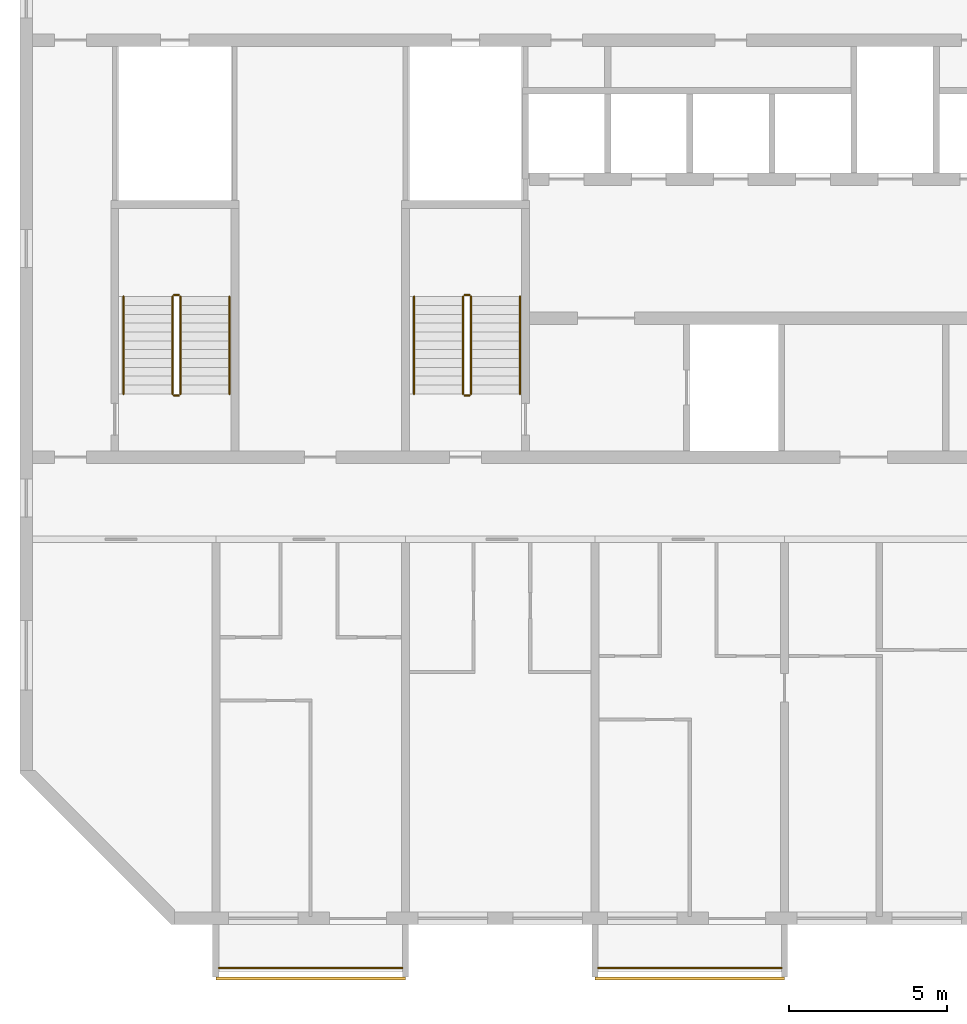
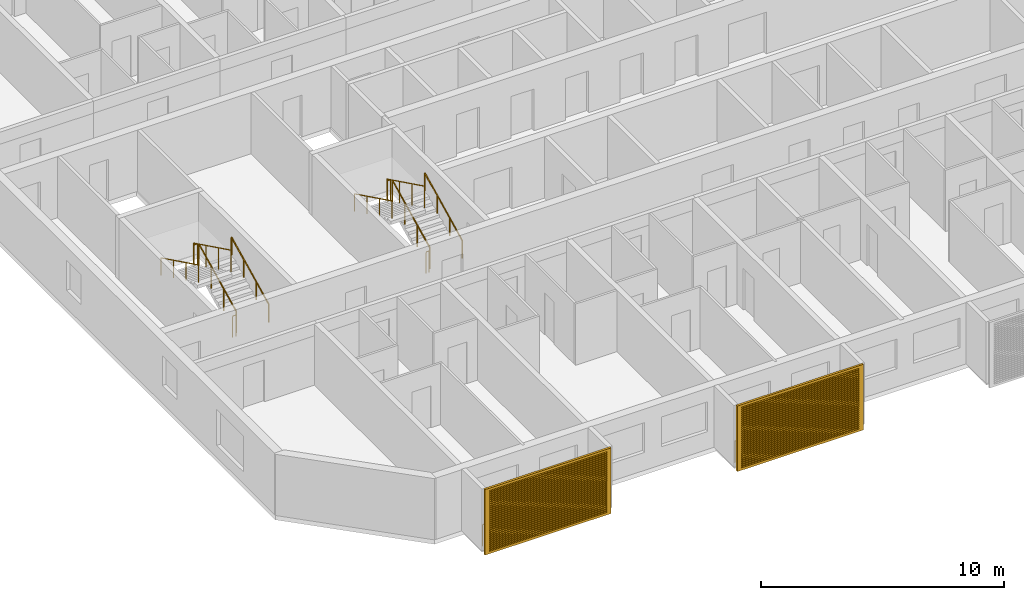
# One storey, part 13 of 27: 14 railings, 2 shading devices.
"""IFC4 building model written with IfcOpenShell, lengths in metres."""

from ifc_helpers import new_model, si_unit, direction, frame, origin, origin_2d, place, context, subcontext, project, spatial, polyline, circle, outline, extrude, source, transform, mapped, material, material_profile, profile_set, type_object, element, save


model = new_model("IFC4")

# Units and contexts
model_context = context("Model", 3, precision=1e-05, world=origin(), true_north=direction((0.0, 1.0)))
body_context = subcontext(model_context, "Body", "Model", "MODEL_VIEW")
ifc_project = project(units=[si_unit("LENGTHUNIT", "METRE"), si_unit("AREAUNIT", "SQUARE_METRE"), si_unit("VOLUMEUNIT", "CUBIC_METRE"), si_unit("PLANEANGLEUNIT", "RADIAN"), si_unit("MASSUNIT", "GRAM", prefix="KILO")], contexts=[model_context])

# Site, building, storey
site_placement = place(None, origin())
site = spatial("IfcSite", under=ifc_project, at=site_placement, CompositionType="ELEMENT")
building_placement = place(site_placement, origin())
building = spatial("IfcBuilding", under=site, at=building_placement, Name="Poui Terraces", CompositionType="ELEMENT")
storey_placement = place(building_placement, frame((0.0, 0.0, 191.699951171875)))
storey = spatial("IfcBuildingStorey", under=building, at=storey_placement, Name="L53", CompositionType="ELEMENT", Elevation=191.699951171875)

# Railings
ifc_material_1 = material(Name="Painted steel fretwork", Category="steel")
railing_type_1 = type_object("IfcRailingType", Name="BALCONY GUARD 1100", PredefinedType="GUARDRAIL", material=ifc_material_1)
for number, where, name in (
    (1, (24.10009765625, -1.570068359375, 0.0), "BALCONY GUARD"),
    (2, (36.10009765625, -1.570068359375, 0.0), "BALCONY GUARD"),
):
    element("IfcRailing", number, at=place(storey_placement, frame(where)), inside=storey, type_object=railing_type_1, Name=name, PredefinedType="GUARDRAIL", context=body_context, shape_type="SweptSolid", body=[
        extrude(circle(Radius=0.02392578125, at=origin_2d()), frame((0.0, 0.0, 1.076171875), z_axis=(1.0, 0.0, 0.0), x_axis=(0.0, 1.0, 0.0)), (0.0, 0.0, 1.0), 5.7998046875),
        extrude(circle(Radius=0.02099609375, at=origin_2d()), origin(), (0.0, 0.0, 1.0), 1.052001953125),
        extrude(circle(Radius=0.02099609375, at=origin_2d()), frame((0.966552734375, 0.0, 0.0)), (0.0, 0.0, 1.0), 1.052001953125),
        extrude(circle(Radius=0.02099609375, at=origin_2d()), frame((1.933349609375, 0.0, 0.0)), (0.0, 0.0, 1.0), 1.052001953125),
        extrude(circle(Radius=0.02099609375, at=origin_2d()), frame((2.89990234375, 0.0, 0.0)), (0.0, 0.0, 1.0), 1.052001953125),
        extrude(circle(Radius=0.02099609375, at=origin_2d()), frame((3.866455078125, 0.0, 0.0)), (0.0, 0.0, 1.0), 1.052001953125),
        extrude(circle(Radius=0.02099609375, at=origin_2d()), frame((4.833251953125, 0.0, 0.0)), (0.0, 0.0, 1.0), 1.052001953125),
        extrude(circle(Radius=0.02099609375, at=origin_2d()), frame((5.7998046875, 0.0, 0.0)), (0.0, 0.0, 1.0), 1.052001953125),
    ])
ifc_material_2 = material(Name="Galvanised steel balustrade", Category="steel")
railing_type_2 = type_object("IfcRailingType", Name="STAIR GUARD 1100", PredefinedType="GUARDRAIL", material=ifc_material_2)
railing_1_placement = place(storey_placement, frame((32.074951171875, 16.60009765625, 0.137451171875)))
element("IfcRailing", 3, at=railing_1_placement, inside=storey, type_object=railing_type_2, Name="L53 ST-CW stair guard 1", PredefinedType="GUARDRAIL", context=body_context, shape_type="SweptSolid", body=[
    extrude(circle(Radius=0.02392578125, at=origin_2d()), frame((0.0, 0.0, 1.076171875), z_axis=(0.0, 0.897578036475, 0.440855609512), x_axis=(-1.0, 0.0, 0.0)), (0.0, 0.0, 1.0), 3.43115234375),
    extrude(circle(Radius=0.02099609375, at=origin_2d()), origin(), (0.0, 0.0, 1.0), 1.052001953125),
    extrude(circle(Radius=0.02099609375, at=origin_2d()), frame((0.0, 1.026611328125, 0.504150390625)), (0.0, 0.0, 1.0), 1.052001953125),
    extrude(circle(Radius=0.02099609375, at=origin_2d()), frame((0.0, 2.05322265625, 1.008544921875)), (0.0, 0.0, 1.0), 1.052001953125),
    extrude(circle(Radius=0.02099609375, at=origin_2d()), frame((0.0, 3.079833984375, 1.5126953125)), (0.0, 0.0, 1.0), 1.052001953125),
])
railing_2_placement = place(storey_placement, frame((32.02490234375, 19.72998046875, 1.650146484375)))
element("IfcRailing", 4, at=railing_2_placement, inside=storey, type_object=railing_type_2, Name="L53 ST-CW stair guard 2", PredefinedType="GUARDRAIL", context=body_context, shape_type="SweptSolid", body=[
    extrude(circle(Radius=0.02392578125, at=origin_2d()), frame((0.0, 0.0, 1.076171875), z_axis=(-1.0, 0.0, 0.0), x_axis=(0.0, -1.0, 0.0)), (0.0, 0.0, 1.0), 0.14990234375),
    extrude(circle(Radius=0.02099609375, at=origin_2d()), origin(), (0.0, 0.0, 1.0), 1.052001953125),
    extrude(circle(Radius=0.02099609375, at=origin_2d()), frame((-0.14990234375, 0.0, 0.0)), (0.0, 0.0, 1.0), 1.052001953125),
])
railing_3_placement = place(storey_placement, frame((31.824951171875, 19.679931640625, 1.78759765625)))
element("IfcRailing", 5, at=railing_3_placement, inside=storey, type_object=railing_type_2, Name="L53 ST-CW stair guard 3", PredefinedType="GUARDRAIL", context=body_context, shape_type="SweptSolid", body=[
    extrude(circle(Radius=0.02392578125, at=origin_2d()), frame((0.0, 0.0, 1.076171875), z_axis=(0.0, -0.897606190399, 0.440798283751), x_axis=(1.0, 0.0, 0.0)), (0.0, 0.0, 1.0), 3.43115234375),
    extrude(circle(Radius=0.02099609375, at=origin_2d()), origin(), (0.0, 0.0, 1.0), 1.052001953125),
    extrude(circle(Radius=0.02099609375, at=origin_2d()), frame((0.0, -1.026611328125, 0.504150390625)), (0.0, 0.0, 1.0), 1.052001953125),
    extrude(circle(Radius=0.02099609375, at=origin_2d()), frame((0.0, -2.05322265625, 1.00830078125)), (0.0, 0.0, 1.0), 1.052001953125),
    extrude(circle(Radius=0.02099609375, at=origin_2d()), frame((0.0, -3.079833984375, 1.512451171875)), (0.0, 0.0, 1.0), 1.052001953125),
])
railing_4_placement = place(storey_placement, frame((32.02490234375, 16.550048828125, 0.0)))
element("IfcRailing", 6, at=railing_4_placement, inside=storey, type_object=railing_type_2, Name="L53 ST-CW stair guard 4", PredefinedType="GUARDRAIL", context=body_context, shape_type="SweptSolid", body=[
    extrude(circle(Radius=0.02392578125, at=origin_2d()), frame((0.0, 0.0, 1.076171875), z_axis=(-1.0, 0.0, 0.0), x_axis=(0.0, -1.0, 0.0)), (0.0, 0.0, 1.0), 0.14990234375),
    extrude(circle(Radius=0.02099609375, at=origin_2d()), origin(), (0.0, 0.0, 1.0), 1.052001953125),
    extrude(circle(Radius=0.02099609375, at=origin_2d()), frame((-0.14990234375, 0.0, 0.0)), (0.0, 0.0, 1.0), 1.052001953125),
])
railing_5_placement = place(storey_placement, frame((22.875, 16.60009765625, 0.137451171875)))
element("IfcRailing", 7, at=railing_5_placement, inside=storey, type_object=railing_type_2, Name="L53 ST-W stair guard 1", PredefinedType="GUARDRAIL", context=body_context, shape_type="SweptSolid", body=[
    extrude(circle(Radius=0.02392578125, at=origin_2d()), frame((0.0, 0.0, 1.076171875), z_axis=(0.0, 0.897578036475, 0.440855609512), x_axis=(-1.0, 0.0, 0.0)), (0.0, 0.0, 1.0), 3.43115234375),
    extrude(circle(Radius=0.02099609375, at=origin_2d()), origin(), (0.0, 0.0, 1.0), 1.052001953125),
    extrude(circle(Radius=0.02099609375, at=origin_2d()), frame((0.0, 1.026611328125, 0.504150390625)), (0.0, 0.0, 1.0), 1.052001953125),
    extrude(circle(Radius=0.02099609375, at=origin_2d()), frame((0.0, 2.05322265625, 1.008544921875)), (0.0, 0.0, 1.0), 1.052001953125),
    extrude(circle(Radius=0.02099609375, at=origin_2d()), frame((0.0, 3.079833984375, 1.5126953125)), (0.0, 0.0, 1.0), 1.052001953125),
])
railing_6_placement = place(storey_placement, frame((22.824951171875, 19.72998046875, 1.650146484375)))
element("IfcRailing", 8, at=railing_6_placement, inside=storey, type_object=railing_type_2, Name="L53 ST-W stair guard 2", PredefinedType="GUARDRAIL", context=body_context, shape_type="SweptSolid", body=[
    extrude(circle(Radius=0.02392578125, at=origin_2d()), frame((0.0, 0.0, 1.076171875), z_axis=(-1.0, 0.0, 0.0), x_axis=(0.0, -1.0, 0.0)), (0.0, 0.0, 1.0), 0.14990234375),
    extrude(circle(Radius=0.02099609375, at=origin_2d()), origin(), (0.0, 0.0, 1.0), 1.052001953125),
    extrude(circle(Radius=0.02099609375, at=origin_2d()), frame((-0.14990234375, 0.0, 0.0)), (0.0, 0.0, 1.0), 1.052001953125),
])
railing_7_placement = place(storey_placement, frame((22.625, 19.679931640625, 1.78759765625)))
element("IfcRailing", 9, at=railing_7_placement, inside=storey, type_object=railing_type_2, Name="L53 ST-W stair guard 3", PredefinedType="GUARDRAIL", context=body_context, shape_type="SweptSolid", body=[
    extrude(circle(Radius=0.02392578125, at=origin_2d()), frame((0.0, 0.0, 1.076171875), z_axis=(0.0, -0.897606190399, 0.440798283751), x_axis=(1.0, 0.0, 0.0)), (0.0, 0.0, 1.0), 3.43115234375),
    extrude(circle(Radius=0.02099609375, at=origin_2d()), origin(), (0.0, 0.0, 1.0), 1.052001953125),
    extrude(circle(Radius=0.02099609375, at=origin_2d()), frame((0.0, -1.026611328125, 0.504150390625)), (0.0, 0.0, 1.0), 1.052001953125),
    extrude(circle(Radius=0.02099609375, at=origin_2d()), frame((0.0, -2.05322265625, 1.00830078125)), (0.0, 0.0, 1.0), 1.052001953125),
    extrude(circle(Radius=0.02099609375, at=origin_2d()), frame((0.0, -3.079833984375, 1.512451171875)), (0.0, 0.0, 1.0), 1.052001953125),
])
railing_8_placement = place(storey_placement, frame((22.824951171875, 16.550048828125, 0.0)))
element("IfcRailing", 10, at=railing_8_placement, inside=storey, type_object=railing_type_2, Name="L53 ST-W stair guard 4", PredefinedType="GUARDRAIL", context=body_context, shape_type="SweptSolid", body=[
    extrude(circle(Radius=0.02392578125, at=origin_2d()), frame((0.0, 0.0, 1.076171875), z_axis=(-1.0, 0.0, 0.0), x_axis=(0.0, -1.0, 0.0)), (0.0, 0.0, 1.0), 0.14990234375),
    extrude(circle(Radius=0.02099609375, at=origin_2d()), origin(), (0.0, 0.0, 1.0), 1.052001953125),
    extrude(circle(Radius=0.02099609375, at=origin_2d()), frame((-0.14990234375, 0.0, 0.0)), (0.0, 0.0, 1.0), 1.052001953125),
])
ifc_material_3 = material(Name="Stainless steel handrail", Category="steel")
railing_type_3 = type_object("IfcRailingType", Name="STAIR HANDRAIL 900", PredefinedType="HANDRAIL", material=ifc_material_3)
railing_9_placement = place(storey_placement, frame((33.625, 16.60009765625, 0.137451171875)))
element("IfcRailing", 11, at=railing_9_placement, inside=storey, type_object=railing_type_3, Name="L53 ST-CW stair handrail 1", PredefinedType="HANDRAIL", context=body_context, shape_type="SweptSolid", body=[
    extrude(circle(Radius=0.02392578125, at=origin_2d()), frame((0.0, 0.0, 0.8759765625), z_axis=(0.0, 0.897578036475, 0.440855609512), x_axis=(-1.0, 0.0, 0.0)), (0.0, 0.0, 1.0), 3.43115234375),
    extrude(circle(Radius=0.02099609375, at=origin_2d()), origin(), (0.0, 0.0, 1.0), 0.851806640625),
    extrude(circle(Radius=0.02099609375, at=origin_2d()), frame((0.0, 1.026611328125, 0.504150390625)), (0.0, 0.0, 1.0), 0.851806640625),
    extrude(circle(Radius=0.02099609375, at=origin_2d()), frame((0.0, 2.05322265625, 1.008544921875)), (0.0, 0.0, 1.0), 0.851806640625),
    extrude(circle(Radius=0.02099609375, at=origin_2d()), frame((0.0, 3.079833984375, 1.5126953125)), (0.0, 0.0, 1.0), 0.851806640625),
])
railing_10_placement = place(storey_placement, frame((30.27490234375, 19.679931640625, 1.78759765625)))
element("IfcRailing", 12, at=railing_10_placement, inside=storey, type_object=railing_type_3, Name="L53 ST-CW stair handrail 2", PredefinedType="HANDRAIL", context=body_context, shape_type="SweptSolid", body=[
    extrude(circle(Radius=0.02392578125, at=origin_2d()), frame((0.0, 0.0, 0.8759765625), z_axis=(0.0, -0.897606190399, 0.440798283751), x_axis=(1.0, 0.0, 0.0)), (0.0, 0.0, 1.0), 3.43115234375),
    extrude(circle(Radius=0.02099609375, at=origin_2d()), origin(), (0.0, 0.0, 1.0), 0.851806640625),
    extrude(circle(Radius=0.02099609375, at=origin_2d()), frame((0.0, -1.026611328125, 0.504150390625)), (0.0, 0.0, 1.0), 0.851806640625),
    extrude(circle(Radius=0.02099609375, at=origin_2d()), frame((0.0, -2.05322265625, 1.00830078125)), (0.0, 0.0, 1.0), 0.851806640625),
    extrude(circle(Radius=0.02099609375, at=origin_2d()), frame((0.0, -3.079833984375, 1.512451171875)), (0.0, 0.0, 1.0), 0.851806640625),
])
railing_11_placement = place(storey_placement, frame((24.425048828125, 16.60009765625, 0.137451171875)))
element("IfcRailing", 13, at=railing_11_placement, inside=storey, type_object=railing_type_3, Name="L53 ST-W stair handrail 1", PredefinedType="HANDRAIL", context=body_context, shape_type="SweptSolid", body=[
    extrude(circle(Radius=0.02392578125, at=origin_2d()), frame((0.0, 0.0, 0.8759765625), z_axis=(0.0, 0.897578036475, 0.440855609512), x_axis=(-1.0, 0.0, 0.0)), (0.0, 0.0, 1.0), 3.43115234375),
    extrude(circle(Radius=0.02099609375, at=origin_2d()), origin(), (0.0, 0.0, 1.0), 0.851806640625),
    extrude(circle(Radius=0.02099609375, at=origin_2d()), frame((0.0, 1.026611328125, 0.504150390625)), (0.0, 0.0, 1.0), 0.851806640625),
    extrude(circle(Radius=0.02099609375, at=origin_2d()), frame((0.0, 2.05322265625, 1.008544921875)), (0.0, 0.0, 1.0), 0.851806640625),
    extrude(circle(Radius=0.02099609375, at=origin_2d()), frame((0.0, 3.079833984375, 1.5126953125)), (0.0, 0.0, 1.0), 0.851806640625),
])
railing_12_placement = place(storey_placement, frame((21.074951171875, 19.679931640625, 1.78759765625)))
element("IfcRailing", 14, at=railing_12_placement, inside=storey, type_object=railing_type_3, Name="L53 ST-W stair handrail 2", PredefinedType="HANDRAIL", context=body_context, shape_type="SweptSolid", body=[
    extrude(circle(Radius=0.02392578125, at=origin_2d()), frame((0.0, 0.0, 0.8759765625), z_axis=(0.0, -0.897606190399, 0.440798283751), x_axis=(1.0, 0.0, 0.0)), (0.0, 0.0, 1.0), 3.43115234375),
    extrude(circle(Radius=0.02099609375, at=origin_2d()), origin(), (0.0, 0.0, 1.0), 0.851806640625),
    extrude(circle(Radius=0.02099609375, at=origin_2d()), frame((0.0, -1.026611328125, 0.504150390625)), (0.0, 0.0, 1.0), 0.851806640625),
    extrude(circle(Radius=0.02099609375, at=origin_2d()), frame((0.0, -2.05322265625, 1.00830078125)), (0.0, 0.0, 1.0), 0.851806640625),
    extrude(circle(Radius=0.02099609375, at=origin_2d()), frame((0.0, -3.079833984375, 1.512451171875)), (0.0, 0.0, 1.0), 0.851806640625),
])

# Shading devices
ifc_material_4 = material(Name="Aluminium louvre", Category="aluminium")
ifc_material_profile = material_profile(ifc_material_4, outline(polyline([(-3.0, -1.64990234375), (3.0, -1.64990234375), (3.0, 1.64990234375), (-3.0, 1.64990234375), (-3.0, -1.64990234375)]), holes=[polyline([(-2.800048828125, -1.530029296875), (2.800048828125, -1.530029296875), (2.800048828125, -1.469970703125), (-2.800048828125, -1.469970703125), (-2.800048828125, -1.530029296875)]), polyline([(-2.800048828125, -1.429931640625), (2.800048828125, -1.429931640625), (2.800048828125, -1.3701171875), (-2.800048828125, -1.3701171875), (-2.800048828125, -1.429931640625)]), polyline([(-2.800048828125, -1.330078125), (2.800048828125, -1.330078125), (2.800048828125, -1.27001953125), (-2.800048828125, -1.27001953125), (-2.800048828125, -1.330078125)]), polyline([(-2.800048828125, -1.22998046875), (2.800048828125, -1.22998046875), (2.800048828125, -1.169921875), (-2.800048828125, -1.169921875), (-2.800048828125, -1.22998046875)]), polyline([(-2.800048828125, -1.1298828125), (2.800048828125, -1.1298828125), (2.800048828125, -1.070068359375), (-2.800048828125, -1.070068359375), (-2.800048828125, -1.1298828125)]), polyline([(-2.800048828125, -1.030029296875), (2.800048828125, -1.030029296875), (2.800048828125, -0.969970703125), (-2.800048828125, -0.969970703125), (-2.800048828125, -1.030029296875)]), polyline([(-2.800048828125, -0.929931640625), (2.800048828125, -0.929931640625), (2.800048828125, -0.8701171875), (-2.800048828125, -0.8701171875), (-2.800048828125, -0.929931640625)]), polyline([(-2.800048828125, -0.830078125), (2.800048828125, -0.830078125), (2.800048828125, -0.77001953125), (-2.800048828125, -0.77001953125), (-2.800048828125, -0.830078125)]), polyline([(-2.800048828125, -0.72998046875), (2.800048828125, -0.72998046875), (2.800048828125, -0.669921875), (-2.800048828125, -0.669921875), (-2.800048828125, -0.72998046875)]), polyline([(-2.800048828125, -0.6298828125), (2.800048828125, -0.6298828125), (2.800048828125, -0.570068359375), (-2.800048828125, -0.570068359375), (-2.800048828125, -0.6298828125)]), polyline([(-2.800048828125, -0.530029296875), (2.800048828125, -0.530029296875), (2.800048828125, -0.469970703125), (-2.800048828125, -0.469970703125), (-2.800048828125, -0.530029296875)]), polyline([(-2.800048828125, -0.429931640625), (2.800048828125, -0.429931640625), (2.800048828125, -0.3701171875), (-2.800048828125, -0.3701171875), (-2.800048828125, -0.429931640625)]), polyline([(-2.800048828125, -0.330078125), (2.800048828125, -0.330078125), (2.800048828125, -0.27001953125), (-2.800048828125, -0.27001953125), (-2.800048828125, -0.330078125)]), polyline([(-2.800048828125, -0.22998046875), (2.800048828125, -0.22998046875), (2.800048828125, -0.169921875), (-2.800048828125, -0.169921875), (-2.800048828125, -0.22998046875)]), polyline([(-2.800048828125, -0.1298828125), (2.800048828125, -0.1298828125), (2.800048828125, -0.070068359375), (-2.800048828125, -0.070068359375), (-2.800048828125, -0.1298828125)]), polyline([(-2.800048828125, -0.030029296875), (2.800048828125, -0.030029296875), (2.800048828125, 0.030029296875), (-2.800048828125, 0.030029296875), (-2.800048828125, -0.030029296875)]), polyline([(-2.800048828125, 0.070068359375), (2.800048828125, 0.070068359375), (2.800048828125, 0.1298828125), (-2.800048828125, 0.1298828125), (-2.800048828125, 0.070068359375)]), polyline([(-2.800048828125, 0.169921875), (2.800048828125, 0.169921875), (2.800048828125, 0.22998046875), (-2.800048828125, 0.22998046875), (-2.800048828125, 0.169921875)]), polyline([(-2.800048828125, 0.27001953125), (2.800048828125, 0.27001953125), (2.800048828125, 0.330078125), (-2.800048828125, 0.330078125), (-2.800048828125, 0.27001953125)]), polyline([(-2.800048828125, 0.3701171875), (2.800048828125, 0.3701171875), (2.800048828125, 0.429931640625), (-2.800048828125, 0.429931640625), (-2.800048828125, 0.3701171875)]), polyline([(-2.800048828125, 0.469970703125), (2.800048828125, 0.469970703125), (2.800048828125, 0.530029296875), (-2.800048828125, 0.530029296875), (-2.800048828125, 0.469970703125)]), polyline([(-2.800048828125, 0.570068359375), (2.800048828125, 0.570068359375), (2.800048828125, 0.6298828125), (-2.800048828125, 0.6298828125), (-2.800048828125, 0.570068359375)]), polyline([(-2.800048828125, 0.669921875), (2.800048828125, 0.669921875), (2.800048828125, 0.72998046875), (-2.800048828125, 0.72998046875), (-2.800048828125, 0.669921875)]), polyline([(-2.800048828125, 0.77001953125), (2.800048828125, 0.77001953125), (2.800048828125, 0.830078125), (-2.800048828125, 0.830078125), (-2.800048828125, 0.77001953125)]), polyline([(-2.800048828125, 0.8701171875), (2.800048828125, 0.8701171875), (2.800048828125, 0.929931640625), (-2.800048828125, 0.929931640625), (-2.800048828125, 0.8701171875)]), polyline([(-2.800048828125, 0.969970703125), (2.800048828125, 0.969970703125), (2.800048828125, 1.030029296875), (-2.800048828125, 1.030029296875), (-2.800048828125, 0.969970703125)]), polyline([(-2.800048828125, 1.070068359375), (2.800048828125, 1.070068359375), (2.800048828125, 1.1298828125), (-2.800048828125, 1.1298828125), (-2.800048828125, 1.070068359375)]), polyline([(-2.800048828125, 1.169921875), (2.800048828125, 1.169921875), (2.800048828125, 1.22998046875), (-2.800048828125, 1.22998046875), (-2.800048828125, 1.169921875)]), polyline([(-2.800048828125, 1.27001953125), (2.800048828125, 1.27001953125), (2.800048828125, 1.330078125), (-2.800048828125, 1.330078125), (-2.800048828125, 1.27001953125)]), polyline([(-2.800048828125, 1.3701171875), (2.800048828125, 1.3701171875), (2.800048828125, 1.429931640625), (-2.800048828125, 1.429931640625), (-2.800048828125, 1.3701171875)]), polyline([(-2.800048828125, 1.469970703125), (2.800048828125, 1.469970703125), (2.800048828125, 1.530029296875), (-2.800048828125, 1.530029296875), (-2.800048828125, 1.469970703125)])]), Name="JALOUSIE LOUVRE SHUTTER 6000X3300")
ifc_profile_set = profile_set([ifc_material_profile], Name="Aluminium louvre")
shading_device_type = type_object("IfcShadingDeviceType", Name="JALOUSIE LOUVRE SHUTTER 6000X3300", PredefinedType="JALOUSIE", material=ifc_profile_set)
shared_shape = source(origin(), body_context, "Body", "SweptSolid", [
    extrude(outline(polyline([(-3.0, -1.64990234375), (3.0, -1.64990234375), (3.0, 1.64990234375), (-3.0, 1.64990234375), (-3.0, -1.64990234375)]), holes=[polyline([(-2.800048828125, -1.530029296875), (2.800048828125, -1.530029296875), (2.800048828125, -1.469970703125), (-2.800048828125, -1.469970703125), (-2.800048828125, -1.530029296875)]), polyline([(-2.800048828125, -1.429931640625), (2.800048828125, -1.429931640625), (2.800048828125, -1.3701171875), (-2.800048828125, -1.3701171875), (-2.800048828125, -1.429931640625)]), polyline([(-2.800048828125, -1.330078125), (2.800048828125, -1.330078125), (2.800048828125, -1.27001953125), (-2.800048828125, -1.27001953125), (-2.800048828125, -1.330078125)]), polyline([(-2.800048828125, -1.22998046875), (2.800048828125, -1.22998046875), (2.800048828125, -1.169921875), (-2.800048828125, -1.169921875), (-2.800048828125, -1.22998046875)]), polyline([(-2.800048828125, -1.1298828125), (2.800048828125, -1.1298828125), (2.800048828125, -1.070068359375), (-2.800048828125, -1.070068359375), (-2.800048828125, -1.1298828125)]), polyline([(-2.800048828125, -1.030029296875), (2.800048828125, -1.030029296875), (2.800048828125, -0.969970703125), (-2.800048828125, -0.969970703125), (-2.800048828125, -1.030029296875)]), polyline([(-2.800048828125, -0.929931640625), (2.800048828125, -0.929931640625), (2.800048828125, -0.8701171875), (-2.800048828125, -0.8701171875), (-2.800048828125, -0.929931640625)]), polyline([(-2.800048828125, -0.830078125), (2.800048828125, -0.830078125), (2.800048828125, -0.77001953125), (-2.800048828125, -0.77001953125), (-2.800048828125, -0.830078125)]), polyline([(-2.800048828125, -0.72998046875), (2.800048828125, -0.72998046875), (2.800048828125, -0.669921875), (-2.800048828125, -0.669921875), (-2.800048828125, -0.72998046875)]), polyline([(-2.800048828125, -0.6298828125), (2.800048828125, -0.6298828125), (2.800048828125, -0.570068359375), (-2.800048828125, -0.570068359375), (-2.800048828125, -0.6298828125)]), polyline([(-2.800048828125, -0.530029296875), (2.800048828125, -0.530029296875), (2.800048828125, -0.469970703125), (-2.800048828125, -0.469970703125), (-2.800048828125, -0.530029296875)]), polyline([(-2.800048828125, -0.429931640625), (2.800048828125, -0.429931640625), (2.800048828125, -0.3701171875), (-2.800048828125, -0.3701171875), (-2.800048828125, -0.429931640625)]), polyline([(-2.800048828125, -0.330078125), (2.800048828125, -0.330078125), (2.800048828125, -0.27001953125), (-2.800048828125, -0.27001953125), (-2.800048828125, -0.330078125)]), polyline([(-2.800048828125, -0.22998046875), (2.800048828125, -0.22998046875), (2.800048828125, -0.169921875), (-2.800048828125, -0.169921875), (-2.800048828125, -0.22998046875)]), polyline([(-2.800048828125, -0.1298828125), (2.800048828125, -0.1298828125), (2.800048828125, -0.070068359375), (-2.800048828125, -0.070068359375), (-2.800048828125, -0.1298828125)]), polyline([(-2.800048828125, -0.030029296875), (2.800048828125, -0.030029296875), (2.800048828125, 0.030029296875), (-2.800048828125, 0.030029296875), (-2.800048828125, -0.030029296875)]), polyline([(-2.800048828125, 0.070068359375), (2.800048828125, 0.070068359375), (2.800048828125, 0.1298828125), (-2.800048828125, 0.1298828125), (-2.800048828125, 0.070068359375)]), polyline([(-2.800048828125, 0.169921875), (2.800048828125, 0.169921875), (2.800048828125, 0.22998046875), (-2.800048828125, 0.22998046875), (-2.800048828125, 0.169921875)]), polyline([(-2.800048828125, 0.27001953125), (2.800048828125, 0.27001953125), (2.800048828125, 0.330078125), (-2.800048828125, 0.330078125), (-2.800048828125, 0.27001953125)]), polyline([(-2.800048828125, 0.3701171875), (2.800048828125, 0.3701171875), (2.800048828125, 0.429931640625), (-2.800048828125, 0.429931640625), (-2.800048828125, 0.3701171875)]), polyline([(-2.800048828125, 0.469970703125), (2.800048828125, 0.469970703125), (2.800048828125, 0.530029296875), (-2.800048828125, 0.530029296875), (-2.800048828125, 0.469970703125)]), polyline([(-2.800048828125, 0.570068359375), (2.800048828125, 0.570068359375), (2.800048828125, 0.6298828125), (-2.800048828125, 0.6298828125), (-2.800048828125, 0.570068359375)]), polyline([(-2.800048828125, 0.669921875), (2.800048828125, 0.669921875), (2.800048828125, 0.72998046875), (-2.800048828125, 0.72998046875), (-2.800048828125, 0.669921875)]), polyline([(-2.800048828125, 0.77001953125), (2.800048828125, 0.77001953125), (2.800048828125, 0.830078125), (-2.800048828125, 0.830078125), (-2.800048828125, 0.77001953125)]), polyline([(-2.800048828125, 0.8701171875), (2.800048828125, 0.8701171875), (2.800048828125, 0.929931640625), (-2.800048828125, 0.929931640625), (-2.800048828125, 0.8701171875)]), polyline([(-2.800048828125, 0.969970703125), (2.800048828125, 0.969970703125), (2.800048828125, 1.030029296875), (-2.800048828125, 1.030029296875), (-2.800048828125, 0.969970703125)]), polyline([(-2.800048828125, 1.070068359375), (2.800048828125, 1.070068359375), (2.800048828125, 1.1298828125), (-2.800048828125, 1.1298828125), (-2.800048828125, 1.070068359375)]), polyline([(-2.800048828125, 1.169921875), (2.800048828125, 1.169921875), (2.800048828125, 1.22998046875), (-2.800048828125, 1.22998046875), (-2.800048828125, 1.169921875)]), polyline([(-2.800048828125, 1.27001953125), (2.800048828125, 1.27001953125), (2.800048828125, 1.330078125), (-2.800048828125, 1.330078125), (-2.800048828125, 1.27001953125)]), polyline([(-2.800048828125, 1.3701171875), (2.800048828125, 1.3701171875), (2.800048828125, 1.429931640625), (-2.800048828125, 1.429931640625), (-2.800048828125, 1.3701171875)]), polyline([(-2.800048828125, 1.469970703125), (2.800048828125, 1.469970703125), (2.800048828125, 1.530029296875), (-2.800048828125, 1.530029296875), (-2.800048828125, 1.469970703125)])]), origin(), (0.0, 0.0, 1.0), 0.099853515625),
])
for number, where, z_axis, x_axis, name in (
    (15, (27.0, -1.85009765625, 1.449951171875), (0.0, -1.0, 0.0), (1.0, 0.0, 0.0), "JALOUSIE LOUVRE SHUTTER"),
    (16, (39.0, -1.85009765625, 1.449951171875), (0.0, -1.0, 0.0), (1.0, 0.0, 0.0), "JALOUSIE LOUVRE SHUTTER"),
):
    element("IfcShadingDevice", number, at=place(storey_placement, frame(where, z_axis=z_axis, x_axis=x_axis)), inside=storey, type_object=shading_device_type, Name=name, PredefinedType="JALOUSIE", context=body_context, shape_type="MappedRepresentation", body=[
        mapped(shared_shape, transform((0.0, 0.0, 0.0))),
    ])

save(model, "model.ifc")
